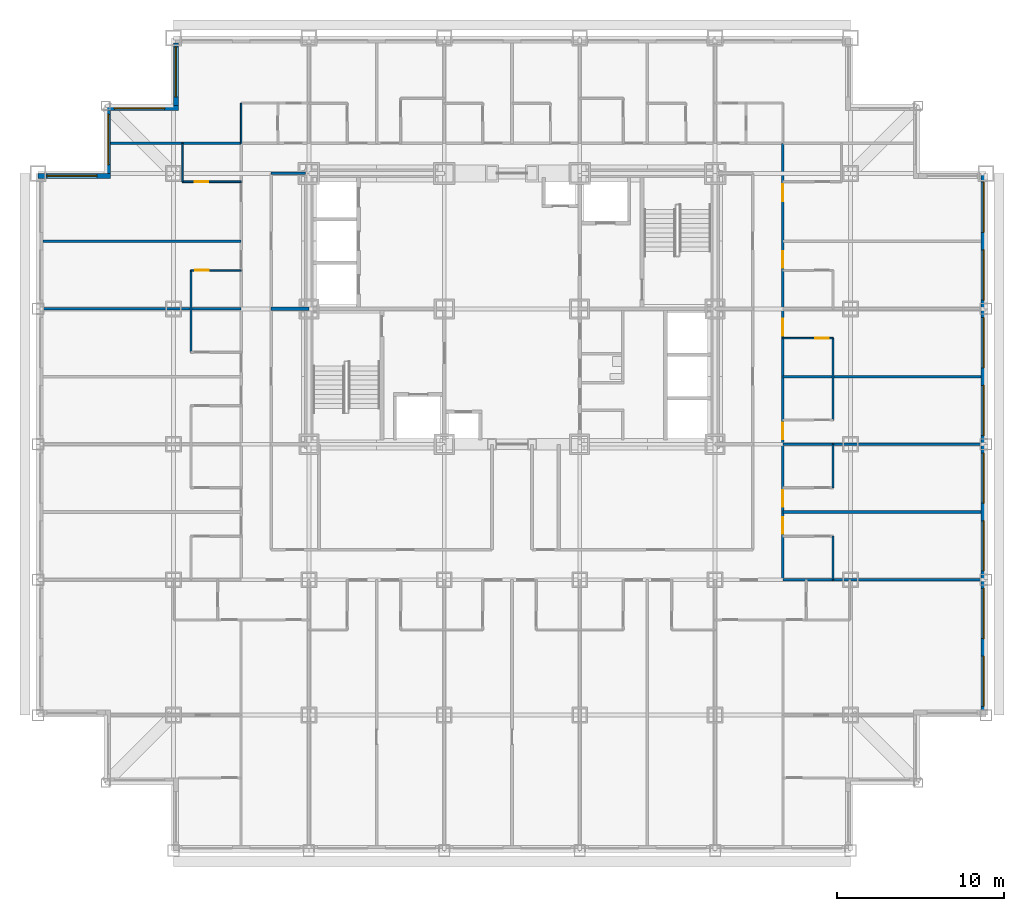
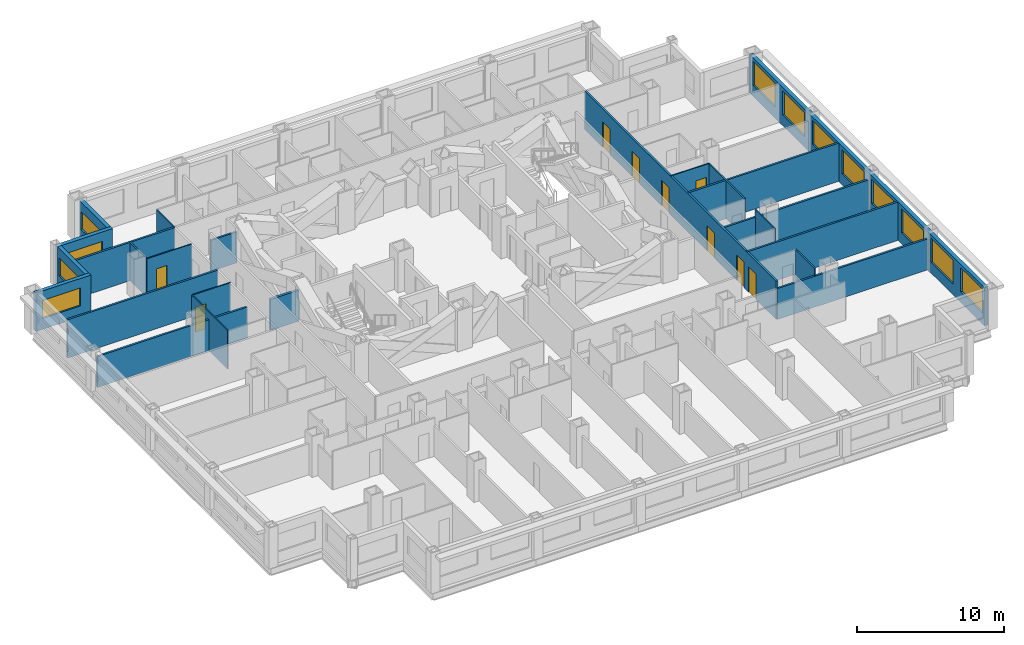
# One storey, part 7 of 12: 24 walls, 12 windows, 9 doors, 21 openings.
"""IFC4 building model written with IfcOpenShell, lengths in metres."""

from ifc_helpers import new_model, si_unit, direction, frame, frame_2d, origin, place, context, subcontext, project, spatial, rectangle, extrude, material, layer, layer_set, type_object, element, fill, save


model = new_model("IFC4")

# Units and contexts
model_context = context("Model", 3, precision=1e-05, world=origin(), true_north=direction((0.0, 1.0)))
body_context = subcontext(model_context, "Body", "Model", "MODEL_VIEW")
ifc_project = project(units=[si_unit("LENGTHUNIT", "METRE"), si_unit("AREAUNIT", "SQUARE_METRE"), si_unit("VOLUMEUNIT", "CUBIC_METRE"), si_unit("PLANEANGLEUNIT", "RADIAN"), si_unit("MASSUNIT", "GRAM", prefix="KILO")], contexts=[model_context])

# Site, building, storey
site_placement = place(None, origin())
site = spatial("IfcSite", under=ifc_project, at=site_placement, CompositionType="ELEMENT")
building_placement = place(site_placement, origin())
building = spatial("IfcBuilding", under=site, at=building_placement, Name="Kopane Lantern Tower", CompositionType="ELEMENT")
storey_placement = place(building_placement, frame((0.0, 0.0, 39.800048828125)))
storey = spatial("IfcBuildingStorey", under=building, at=storey_placement, Name="L08", CompositionType="ELEMENT", Elevation=39.800048828125)

# Wall
ifc_material_1 = material(Name="Moisture-resistant board on steel studs", Category="steel")
ifc_layer_1 = layer(ifc_material_1, 0.10009765625)
ifc_layer_set_1 = layer_set([ifc_layer_1], Name="BATHROOM WALL 100")
wall_type_1 = type_object("IfcWallType", Name="BATHROOM WALL 100", PredefinedType="PARTITIONING", material=ifc_layer_set_1)
wall_1_placement = place(storey_placement, frame((9.14990234375, 29.800048828125, 0.0), z_axis=(0.0, 0.0, 1.0), x_axis=(0.0, 1.0, 0.0)))
element("IfcWall", 1, at=wall_1_placement, inside=storey, type_object=wall_type_1, Name="Bathroom Wall 100 L08", PredefinedType="PARTITIONING", context=body_context, shape_type="SweptSolid", body=[
    extrude(rectangle(XDim=4.89990234375, YDim=0.10009765625, at=frame_2d((2.449951171875, 0.0))), origin(), (0.0, 0.0, 1.0), 3.18994140625),
])

# Wall, opening, door
wall_2_placement = place(storey_placement, frame((12.14990234375, 34.699951171875, 0.0), z_axis=(0.0, 0.0, 1.0), x_axis=(-1.0, 0.0, 0.0)))
wall_2 = element("IfcWall", 2, at=wall_2_placement, inside=storey, type_object=wall_type_1, Name="Bathroom Wall 100 L08", PredefinedType="PARTITIONING", context=body_context, shape_type="SweptSolid", body=[
    extrude(rectangle(XDim=3.0, YDim=0.10009765625, at=frame_2d((1.5, 0.0))), origin(), (0.0, 0.0, 1.0), 3.18994140625),
])
opening_1_placement = place(wall_2_placement, frame((1.949951171875, 0.0, 0.0)))
opening_1 = element("IfcOpeningElement", 3, at=opening_1_placement, cuts=wall_2, Name="Opening L08-043", PredefinedType="OPENING", context=body_context, shape_type="SweptSolid", body=[
    extrude(rectangle(XDim=0.800048828125, YDim=2.10009765625, at=frame_2d((0.39990234375, 1.050048828125))), frame((0.0, 0.06005859375, 0.0), z_axis=(0.0, -1.0, 0.0), x_axis=(1.0, 0.0, 0.0)), (0.0, 0.0, 1.0), 0.1201171875),
])
ifc_material_2 = material(Name="Timber door set", Category="wood")
door_type_1 = type_object("IfcDoorType", Name="DOOR D2 800x2100", OperationType="SINGLE_SWING_LEFT", PredefinedType="DOOR", material=ifc_material_2)
door_1_placement = place(opening_1_placement, origin())
door_1 = element("IfcDoor", 4, at=door_1_placement, inside=storey, type_object=door_type_1, Name="Door L08-043", OperationType="SINGLE_SWING_RIGHT", OverallHeight=2.10009765625, OverallWidth=0.800048828125, PredefinedType="DOOR", context=body_context, shape_type="SweptSolid", body=[
    extrude(rectangle(XDim=0.800048828125, YDim=2.10009765625, at=frame_2d((0.39990234375, 1.050048828125))), frame((0.0, 0.02490234375, 0.0), z_axis=(0.0, -1.0, 0.0), x_axis=(1.0, 0.0, 0.0)), (0.0, 0.0, 1.0), 0.050048828125),
])
fill(opening_1, door_1)

# Wall
wall_3_placement = place(storey_placement, frame((8.635009765625, 40.0, 0.0), z_axis=(0.0, 0.0, 1.0), x_axis=(0.0, 1.0, 0.0)))
element("IfcWall", 5, at=wall_3_placement, inside=storey, type_object=wall_type_1, Name="Bathroom Wall 100 L08", PredefinedType="PARTITIONING", context=body_context, shape_type="SweptSolid", body=[
    extrude(rectangle(XDim=2.300048828125, YDim=0.10009765625, at=frame_2d((1.14990234375, 0.0))), origin(), (0.0, 0.0, 1.0), 3.18994140625),
])

# Wall, opening, door
wall_4_placement = place(storey_placement, frame((12.14990234375, 40.0, 0.0), z_axis=(0.0, 0.0, 1.0), x_axis=(-1.0, 0.0, 0.0)))
wall_4 = element("IfcWall", 6, at=wall_4_placement, inside=storey, type_object=wall_type_1, Name="Bathroom Wall 100 L08", PredefinedType="PARTITIONING", context=body_context, shape_type="SweptSolid", body=[
    extrude(rectangle(XDim=3.514892578125, YDim=0.10009765625, at=frame_2d((1.75732421875, 0.0))), origin(), (0.0, 0.0, 1.0), 3.18994140625),
])
opening_2_placement = place(wall_4_placement, frame((1.965087890625, 0.0, 0.0)))
opening_2 = element("IfcOpeningElement", 7, at=opening_2_placement, cuts=wall_4, Name="Opening L08-045", PredefinedType="OPENING", context=body_context, shape_type="SweptSolid", body=[
    extrude(rectangle(XDim=0.800048828125, YDim=2.10009765625, at=frame_2d((0.39990234375, 1.050048828125))), frame((0.0, 0.06005859375, 0.0), z_axis=(0.0, -1.0, 0.0), x_axis=(1.0, 0.0, 0.0)), (0.0, 0.0, 1.0), 0.1201171875),
])
door_2_placement = place(opening_2_placement, origin())
door_2 = element("IfcDoor", 8, at=door_2_placement, inside=storey, type_object=door_type_1, Name="Door L08-045", OperationType="SINGLE_SWING_LEFT", OverallHeight=2.10009765625, OverallWidth=0.800048828125, PredefinedType="DOOR", context=body_context, shape_type="SweptSolid", body=[
    extrude(rectangle(XDim=0.800048828125, YDim=2.10009765625, at=frame_2d((0.39990234375, 1.050048828125))), frame((0.0, 0.02490234375, 0.0), z_axis=(0.0, -1.0, 0.0), x_axis=(1.0, 0.0, 0.0)), (0.0, 0.0, 1.0), 0.050048828125),
])
fill(opening_2, door_2)

# Walls
for number, where, z_axis, x_axis, name in (
    (9, (47.550048828125, 16.199951171875, 0.0), (0.0, 0.0, 1.0), (0.0, 1.0, 0.0), "Bathroom Wall 100 L08"),
    (10, (47.550048828125, 21.699951171875, 0.0), (0.0, 0.0, 1.0), (0.0, 1.0, 0.0), "Bathroom Wall 100 L08"),
):
    element("IfcWall", number, at=place(storey_placement, frame(where, z_axis=z_axis, x_axis=x_axis)), inside=storey, type_object=wall_type_1, Name=name, PredefinedType="PARTITIONING", context=body_context, shape_type="SweptSolid", body=[
        extrude(rectangle(XDim=2.60009765625, YDim=0.10009765625, at=frame_2d((1.300048828125, 0.0))), origin(), (0.0, 0.0, 1.0), 3.18994140625),
    ])
wall_5_placement = place(storey_placement, frame((47.550048828125, 25.75, 0.0), z_axis=(0.0, 0.0, 1.0), x_axis=(0.0, 1.0, 0.0)))
element("IfcWall", 11, at=wall_5_placement, inside=storey, type_object=wall_type_1, Name="Bathroom Wall 100 L08", PredefinedType="PARTITIONING", context=body_context, shape_type="SweptSolid", body=[
    extrude(rectangle(XDim=4.89990234375, YDim=0.10009765625, at=frame_2d((2.449951171875, 0.0))), origin(), (0.0, 0.0, 1.0), 3.18994140625),
])

# Wall, opening, door
wall_6_placement = place(storey_placement, frame((44.550048828125, 30.64990234375, 0.0), z_axis=(0.0, 0.0, 1.0), x_axis=(1.0, 0.0, 0.0)))
wall_6 = element("IfcWall", 12, at=wall_6_placement, inside=storey, type_object=wall_type_1, Name="Bathroom Wall 100 L08", PredefinedType="PARTITIONING", context=body_context, shape_type="SweptSolid", body=[
    extrude(rectangle(XDim=3.0, YDim=0.10009765625, at=frame_2d((1.5, 0.0))), origin(), (0.0, 0.0, 1.0), 3.18994140625),
])
opening_3_placement = place(wall_6_placement, frame((1.949951171875, 0.0, 0.0)))
opening_3 = element("IfcOpeningElement", 13, at=opening_3_placement, cuts=wall_6, Name="Opening L08-053", PredefinedType="OPENING", context=body_context, shape_type="SweptSolid", body=[
    extrude(rectangle(XDim=0.800048828125, YDim=2.10009765625, at=frame_2d((0.39990234375, 1.050048828125))), frame((0.0, 0.06005859375, 0.0), z_axis=(0.0, -1.0, 0.0), x_axis=(1.0, 0.0, 0.0)), (0.0, 0.0, 1.0), 0.1201171875),
])
door_3_placement = place(opening_3_placement, origin())
door_3 = element("IfcDoor", 14, at=door_3_placement, inside=storey, type_object=door_type_1, Name="Door L08-053", OperationType="SINGLE_SWING_LEFT", OverallHeight=2.10009765625, OverallWidth=0.800048828125, PredefinedType="DOOR", context=body_context, shape_type="SweptSolid", body=[
    extrude(rectangle(XDim=0.800048828125, YDim=2.10009765625, at=frame_2d((0.39990234375, 1.050048828125))), frame((0.0, 0.02490234375, 0.0), z_axis=(0.0, -1.0, 0.0), x_axis=(1.0, 0.0, 0.0)), (0.0, 0.0, 1.0), 0.050048828125),
])
fill(opening_3, door_3)

# Wall
wall_7_placement = place(storey_placement, frame((12.14990234375, 42.300048828125, 0.0), z_axis=(0.0, 0.0, 1.0), x_axis=(0.0, 1.0, 0.0)))
element("IfcWall", 15, at=wall_7_placement, inside=storey, type_object=wall_type_1, Name="Bathroom Wall 100 L08", PredefinedType="PARTITIONING", context=body_context, shape_type="SweptSolid", body=[
    extrude(rectangle(XDim=2.39990234375, YDim=0.10009765625, at=frame_2d((1.199951171875, 0.0))), origin(), (0.0, 0.0, 1.0), 3.18994140625),
])

# Wall, openings, doors
ifc_material_3 = material(Name="Gypsum board on steel studs", Category="steel")
ifc_layer_2 = layer(ifc_material_3, 0.14990234375)
ifc_layer_set_2 = layer_set([ifc_layer_2], Name="CORRIDOR WALL 150 EI 60")
wall_type_2 = type_object("IfcWallType", Name="CORRIDOR WALL 150 EI 60", PredefinedType="PARTITIONING", material=ifc_layer_set_2)
wall_8_placement = place(storey_placement, frame((44.550048828125, 16.199951171875, 0.0), z_axis=(0.0, 0.0, 1.0), x_axis=(0.0, 1.0, 0.0)))
wall_8 = element("IfcWall", 16, at=wall_8_placement, inside=storey, type_object=wall_type_2, Name="Corridor Wall 150 Ei 60 L08", PredefinedType="PARTITIONING", context=body_context, shape_type="SweptSolid", body=[
    extrude(rectangle(XDim=26.10009765625, YDim=0.14990234375, at=frame_2d((13.050048828125, 0.0))), origin(), (0.0, 0.0, 1.0), 3.18994140625),
])
opening_4_placement = place(wall_8_placement, frame((2.75, 0.0, 0.0)))
opening_4 = element("IfcOpeningElement", 17, at=opening_4_placement, cuts=wall_8, Name="Opening L08-048", PredefinedType="OPENING", context=body_context, shape_type="SweptSolid", body=[
    extrude(rectangle(XDim=1.0, YDim=2.10009765625, at=frame_2d((0.5, 1.050048828125))), frame((0.0, 0.0849609375, 0.0), z_axis=(0.0, -1.0, 0.0), x_axis=(1.0, 0.0, 0.0)), (0.0, 0.0, 1.0), 0.169921875),
])
opening_5_placement = place(wall_8_placement, frame((4.35009765625, 0.0, 0.0)))
opening_5 = element("IfcOpeningElement", 18, at=opening_5_placement, cuts=wall_8, Name="Opening L08-050", PredefinedType="OPENING", context=body_context, shape_type="SweptSolid", body=[
    extrude(rectangle(XDim=1.0, YDim=2.10009765625, at=frame_2d((0.5, 1.050048828125))), frame((0.0, 0.0849609375, 0.0), z_axis=(0.0, -1.0, 0.0), x_axis=(1.0, 0.0, 0.0)), (0.0, 0.0, 1.0), 0.169921875),
])
opening_6_placement = place(wall_8_placement, frame((8.39990234375, 0.0, 0.0)))
opening_6 = element("IfcOpeningElement", 19, at=opening_6_placement, cuts=wall_8, Name="Opening L08-052", PredefinedType="OPENING", context=body_context, shape_type="SweptSolid", body=[
    extrude(rectangle(XDim=1.0, YDim=2.10009765625, at=frame_2d((0.5, 1.050048828125))), frame((0.0, 0.0849609375, 0.0), z_axis=(0.0, -1.0, 0.0), x_axis=(1.0, 0.0, 0.0)), (0.0, 0.0, 1.0), 0.169921875),
])
opening_7_placement = place(wall_8_placement, frame((14.60009765625, 0.0, 0.0)))
opening_7 = element("IfcOpeningElement", 20, at=opening_7_placement, cuts=wall_8, Name="Opening L08-054", PredefinedType="OPENING", context=body_context, shape_type="SweptSolid", body=[
    extrude(rectangle(XDim=1.0, YDim=2.10009765625, at=frame_2d((0.5, 1.050048828125))), frame((0.0, 0.0849609375, 0.0), z_axis=(0.0, -1.0, 0.0), x_axis=(1.0, 0.0, 0.0)), (0.0, 0.0, 1.0), 0.169921875),
])
opening_8_placement = place(wall_8_placement, frame((18.64990234375, 0.0, 0.0)))
opening_8 = element("IfcOpeningElement", 21, at=opening_8_placement, cuts=wall_8, Name="Opening L08-056", PredefinedType="OPENING", context=body_context, shape_type="SweptSolid", body=[
    extrude(rectangle(XDim=1.0, YDim=2.10009765625, at=frame_2d((0.5, 1.050048828125))), frame((0.0, 0.0849609375, 0.0), z_axis=(0.0, -1.0, 0.0), x_axis=(1.0, 0.0, 0.0)), (0.0, 0.0, 1.0), 0.169921875),
])
opening_9_placement = place(wall_8_placement, frame((22.64990234375, 0.0, 0.0)))
opening_9 = element("IfcOpeningElement", 22, at=opening_9_placement, cuts=wall_8, Name="Opening L08-058", PredefinedType="OPENING", context=body_context, shape_type="SweptSolid", body=[
    extrude(rectangle(XDim=1.0, YDim=2.10009765625, at=frame_2d((0.5, 1.050048828125))), frame((0.0, 0.0849609375, 0.0), z_axis=(0.0, -1.0, 0.0), x_axis=(1.0, 0.0, 0.0)), (0.0, 0.0, 1.0), 0.169921875),
])
ifc_material_4 = material(Name="Steel door set", Category="steel")
door_type_2 = type_object("IfcDoorType", Name="DOOR D1 1000x2100 FD30S", OperationType="SINGLE_SWING_LEFT", PredefinedType="DOOR", material=ifc_material_4)
door_4_placement = place(opening_4_placement, origin())
door_4 = element("IfcDoor", 23, at=door_4_placement, inside=storey, type_object=door_type_2, Name="Door L08-048", OperationType="SINGLE_SWING_RIGHT", OverallHeight=2.10009765625, OverallWidth=1.0, PredefinedType="DOOR", context=body_context, shape_type="SweptSolid", body=[
    extrude(rectangle(XDim=1.0, YDim=2.10009765625, at=frame_2d((0.5, 1.050048828125))), frame((0.0, 0.02490234375, 0.0), z_axis=(0.0, -1.0, 0.0), x_axis=(1.0, 0.0, 0.0)), (0.0, 0.0, 1.0), 0.050048828125),
])
fill(opening_4, door_4)
door_5_placement = place(opening_5_placement, origin())
door_5 = element("IfcDoor", 24, at=door_5_placement, inside=storey, type_object=door_type_2, Name="Door L08-050", OperationType="SINGLE_SWING_LEFT", OverallHeight=2.10009765625, OverallWidth=1.0, PredefinedType="DOOR", context=body_context, shape_type="SweptSolid", body=[
    extrude(rectangle(XDim=1.0, YDim=2.10009765625, at=frame_2d((0.5, 1.050048828125))), frame((0.0, 0.02490234375, 0.0), z_axis=(0.0, -1.0, 0.0), x_axis=(1.0, 0.0, 0.0)), (0.0, 0.0, 1.0), 0.050048828125),
])
fill(opening_5, door_5)
door_6_placement = place(opening_6_placement, origin())
door_6 = element("IfcDoor", 25, at=door_6_placement, inside=storey, type_object=door_type_2, Name="Door L08-052", OperationType="SINGLE_SWING_LEFT", OverallHeight=2.10009765625, OverallWidth=1.0, PredefinedType="DOOR", context=body_context, shape_type="SweptSolid", body=[
    extrude(rectangle(XDim=1.0, YDim=2.10009765625, at=frame_2d((0.5, 1.050048828125))), frame((0.0, 0.02490234375, 0.0), z_axis=(0.0, -1.0, 0.0), x_axis=(1.0, 0.0, 0.0)), (0.0, 0.0, 1.0), 0.050048828125),
])
fill(opening_6, door_6)
door_7_placement = place(opening_7_placement, origin())
door_7 = element("IfcDoor", 26, at=door_7_placement, inside=storey, type_object=door_type_2, Name="Door L08-054", OperationType="SINGLE_SWING_RIGHT", OverallHeight=2.10009765625, OverallWidth=1.0, PredefinedType="DOOR", context=body_context, shape_type="SweptSolid", body=[
    extrude(rectangle(XDim=1.0, YDim=2.10009765625, at=frame_2d((0.5, 1.050048828125))), frame((0.0, 0.02490234375, 0.0), z_axis=(0.0, -1.0, 0.0), x_axis=(1.0, 0.0, 0.0)), (0.0, 0.0, 1.0), 0.050048828125),
])
fill(opening_7, door_7)
door_8_placement = place(opening_8_placement, origin())
door_8 = element("IfcDoor", 27, at=door_8_placement, inside=storey, type_object=door_type_2, Name="Door L08-056", OperationType="SINGLE_SWING_RIGHT", OverallHeight=2.10009765625, OverallWidth=1.0, PredefinedType="DOOR", context=body_context, shape_type="SweptSolid", body=[
    extrude(rectangle(XDim=1.0, YDim=2.10009765625, at=frame_2d((0.5, 1.050048828125))), frame((0.0, 0.02490234375, 0.0), z_axis=(0.0, -1.0, 0.0), x_axis=(1.0, 0.0, 0.0)), (0.0, 0.0, 1.0), 0.050048828125),
])
fill(opening_8, door_8)
door_9_placement = place(opening_9_placement, origin())
door_9 = element("IfcDoor", 28, at=door_9_placement, inside=storey, type_object=door_type_2, Name="Door L08-058", OperationType="SINGLE_SWING_LEFT", OverallHeight=2.10009765625, OverallWidth=1.0, PredefinedType="DOOR", context=body_context, shape_type="SweptSolid", body=[
    extrude(rectangle(XDim=1.0, YDim=2.10009765625, at=frame_2d((0.5, 1.050048828125))), frame((0.0, 0.02490234375, 0.0), z_axis=(0.0, -1.0, 0.0), x_axis=(1.0, 0.0, 0.0)), (0.0, 0.0, 1.0), 0.050048828125),
])
fill(opening_9, door_9)

# Walls
wall_9_placement = place(storey_placement, frame((16.0, 40.5, 0.0), z_axis=(0.0, 0.0, 1.0), x_axis=(-1.0, 0.0, 0.0)))
element("IfcWall", 29, at=wall_9_placement, inside=storey, type_object=wall_type_2, Name="Corridor Wall 150 Ei 60 L08", PredefinedType="PARTITIONING", context=body_context, shape_type="SweptSolid", body=[
    extrude(rectangle(XDim=2.050048828125, YDim=0.14990234375, at=frame_2d((1.02490234375, 0.0))), origin(), (0.0, 0.0, 1.0), 2.57763671875),
])
ifc_material_5 = material(Name="Gypsum board on steel studs", Category="steel")
ifc_layer_3 = layer(ifc_material_5, 0.14990234375)
ifc_layer_set_3 = layer_set([ifc_layer_3], Name="DEMISING WALL 150 EI 60")
wall_type_3 = type_object("IfcWallType", Name="DEMISING WALL 150 EI 60", PredefinedType="PARTITIONING", material=ifc_layer_set_3)
wall_10_placement = place(storey_placement, frame((12.14990234375, 32.39990234375, 0.0), z_axis=(0.0, 0.0, 1.0), x_axis=(-1.0, 0.0, 0.0)))
element("IfcWall", 30, at=wall_10_placement, inside=storey, type_object=wall_type_3, Name="Demising Wall 150 Ei 60 L08", PredefinedType="PARTITIONING", context=body_context, shape_type="SweptSolid", body=[
    extrude(rectangle(XDim=11.849853515625, YDim=0.14990234375, at=frame_2d((5.9248046875, 0.0))), origin(), (0.0, 0.0, 1.0), 2.57763671875),
])
for number, where, z_axis, x_axis, name in (
    (31, (12.14990234375, 36.449951171875, 0.0), (0.0, 0.0, 1.0), (-1.0, 0.0, 0.0), "Demising Wall 150 Ei 60 L08"),
    (32, (44.550048828125, 20.25, 0.0), (0.0, 0.0, 1.0), (1.0, 0.0, 0.0), "Demising Wall 150 Ei 60 L08"),
):
    element("IfcWall", number, at=place(storey_placement, frame(where, z_axis=z_axis, x_axis=x_axis)), inside=storey, type_object=wall_type_3, Name=name, PredefinedType="PARTITIONING", context=body_context, shape_type="SweptSolid", body=[
        extrude(rectangle(XDim=11.849853515625, YDim=0.14990234375, at=frame_2d((5.9248046875, 0.0))), origin(), (0.0, 0.0, 1.0), 3.18994140625),
    ])
wall_11_placement = place(storey_placement, frame((44.550048828125, 24.300048828125, 0.0), z_axis=(0.0, 0.0, 1.0), x_axis=(1.0, 0.0, 0.0)))
element("IfcWall", 33, at=wall_11_placement, inside=storey, type_object=wall_type_3, Name="Demising Wall 150 Ei 60 L08", PredefinedType="PARTITIONING", context=body_context, shape_type="SweptSolid", body=[
    extrude(rectangle(XDim=11.849853515625, YDim=0.14990234375, at=frame_2d((5.9248046875, 0.0))), origin(), (0.0, 0.0, 1.0), 2.57763671875),
])
wall_12_placement = place(storey_placement, frame((44.550048828125, 28.35009765625, 0.0), z_axis=(0.0, 0.0, 1.0), x_axis=(1.0, 0.0, 0.0)))
element("IfcWall", 34, at=wall_12_placement, inside=storey, type_object=wall_type_3, Name="Demising Wall 150 Ei 60 L08", PredefinedType="PARTITIONING", context=body_context, shape_type="SweptSolid", body=[
    extrude(rectangle(XDim=11.849853515625, YDim=0.14990234375, at=frame_2d((5.9248046875, 0.0))), origin(), (0.0, 0.0, 1.0), 3.18994140625),
])
wall_13_placement = place(storey_placement, frame((44.550048828125, 16.199951171875, 0.0), z_axis=(0.0, 0.0, 1.0), x_axis=(1.0, 0.0, 0.0)))
element("IfcWall", 35, at=wall_13_placement, inside=storey, type_object=wall_type_3, Name="Demising Wall 150 Ei 60 L08", PredefinedType="PARTITIONING", context=body_context, shape_type="SweptSolid", body=[
    extrude(rectangle(XDim=11.849853515625, YDim=0.14990234375, at=frame_2d((5.9248046875, 0.0))), origin(), (0.0, 0.0, 1.0), 2.57763671875),
])
wall_14_placement = place(storey_placement, frame((4.35009765625, 42.300048828125, 0.0), z_axis=(0.0, 0.0, 1.0), x_axis=(1.0, 0.0, 0.0)))
element("IfcWall", 36, at=wall_14_placement, inside=storey, type_object=wall_type_3, Name="Demising Wall 150 Ei 60 L08", PredefinedType="PARTITIONING", context=body_context, shape_type="SweptSolid", body=[
    extrude(rectangle(XDim=7.7998046875, YDim=0.14990234375, at=frame_2d((3.89990234375, 0.0))), origin(), (0.0, 0.0, 1.0), 3.18994140625),
])

# Wall, openings, windows
ifc_material_6 = material(Name="Terracotta rainscreen on light steel framing", Category="masonry")
ifc_layer_4 = layer(ifc_material_6, 0.300048828125)
ifc_layer_set_4 = layer_set([ifc_layer_4], Name="EXTERNAL WALL EW1 300 TERRACOTTA")
wall_type_4 = type_object("IfcWallType", Name="EXTERNAL WALL EW1 300 TERRACOTTA", PredefinedType="SOLIDWALL", material=ifc_layer_set_4)
wall_15_placement = place(storey_placement, frame((56.550048828125, 8.39990234375, 0.0), z_axis=(0.0, 0.0, 1.0), x_axis=(0.0, 1.0, 0.0)))
wall_15 = element("IfcWall", 37, at=wall_15_placement, inside=storey, type_object=wall_type_4, Name="External wall E L08", PredefinedType="SOLIDWALL", context=body_context, shape_type="SweptSolid", body=[
    extrude(rectangle(XDim=32.10009765625, YDim=0.300048828125, at=frame_2d((16.050048828125, 0.0))), origin(), (0.0, 0.0, 1.0), 3.18994140625),
])
opening_10_placement = place(wall_15_placement, frame((0.22509765625, 0.0, 0.89990234375)))
opening_10 = element("IfcOpeningElement", 38, at=opening_10_placement, cuts=wall_15, Name="Opening WR300200", PredefinedType="OPENING", context=body_context, shape_type="SweptSolid", body=[
    extrude(rectangle(XDim=3.0, YDim=2.0, at=frame_2d((1.5, 1.0))), frame((0.0, 0.159912109375, 0.0), z_axis=(0.0, -1.0, 0.0), x_axis=(1.0, 0.0, 0.0)), (0.0, 0.0, 1.0), 0.320068359375),
])
opening_11_placement = place(wall_15_placement, frame((4.27490234375, 0.0, 0.89990234375)))
opening_11 = element("IfcOpeningElement", 39, at=opening_11_placement, cuts=wall_15, Name="Opening WR300200", PredefinedType="OPENING", context=body_context, shape_type="SweptSolid", body=[
    extrude(rectangle(XDim=3.0, YDim=2.0, at=frame_2d((1.5, 1.0))), frame((0.0, 0.159912109375, 0.0), z_axis=(0.0, -1.0, 0.0), x_axis=(1.0, 0.0, 0.0)), (0.0, 0.0, 1.0), 0.320068359375),
])
opening_12_placement = place(wall_15_placement, frame((8.324951171875, 0.0, 0.89990234375)))
opening_12 = element("IfcOpeningElement", 40, at=opening_12_placement, cuts=wall_15, Name="Opening WR300200", PredefinedType="OPENING", context=body_context, shape_type="SweptSolid", body=[
    extrude(rectangle(XDim=3.0, YDim=2.0, at=frame_2d((1.5, 1.0))), frame((0.0, 0.159912109375, 0.0), z_axis=(0.0, -1.0, 0.0), x_axis=(1.0, 0.0, 0.0)), (0.0, 0.0, 1.0), 0.320068359375),
])
opening_13_placement = place(wall_15_placement, frame((12.375, 0.0, 0.89990234375)))
opening_13 = element("IfcOpeningElement", 41, at=opening_13_placement, cuts=wall_15, Name="Opening WR300200", PredefinedType="OPENING", context=body_context, shape_type="SweptSolid", body=[
    extrude(rectangle(XDim=3.0, YDim=2.0, at=frame_2d((1.5, 1.0))), frame((0.0, 0.159912109375, 0.0), z_axis=(0.0, -1.0, 0.0), x_axis=(1.0, 0.0, 0.0)), (0.0, 0.0, 1.0), 0.320068359375),
])
opening_14_placement = place(wall_15_placement, frame((16.425048828125, 0.0, 0.89990234375)))
opening_14 = element("IfcOpeningElement", 42, at=opening_14_placement, cuts=wall_15, Name="Opening WR300200", PredefinedType="OPENING", context=body_context, shape_type="SweptSolid", body=[
    extrude(rectangle(XDim=3.0, YDim=2.0, at=frame_2d((1.5, 1.0))), frame((0.0, 0.159912109375, 0.0), z_axis=(0.0, -1.0, 0.0), x_axis=(1.0, 0.0, 0.0)), (0.0, 0.0, 1.0), 0.320068359375),
])
opening_15_placement = place(wall_15_placement, frame((20.47509765625, 0.0, 0.89990234375)))
opening_15 = element("IfcOpeningElement", 43, at=opening_15_placement, cuts=wall_15, Name="Opening WR300200", PredefinedType="OPENING", context=body_context, shape_type="SweptSolid", body=[
    extrude(rectangle(XDim=3.0, YDim=2.0, at=frame_2d((1.5, 1.0))), frame((0.0, 0.159912109375, 0.0), z_axis=(0.0, -1.0, 0.0), x_axis=(1.0, 0.0, 0.0)), (0.0, 0.0, 1.0), 0.320068359375),
])
opening_16_placement = place(wall_15_placement, frame((24.52490234375, 0.0, 0.89990234375)))
opening_16 = element("IfcOpeningElement", 44, at=opening_16_placement, cuts=wall_15, Name="Opening WR300200", PredefinedType="OPENING", context=body_context, shape_type="SweptSolid", body=[
    extrude(rectangle(XDim=3.0, YDim=2.0, at=frame_2d((1.5, 1.0))), frame((0.0, 0.159912109375, 0.0), z_axis=(0.0, -1.0, 0.0), x_axis=(1.0, 0.0, 0.0)), (0.0, 0.0, 1.0), 0.320068359375),
])
opening_17_placement = place(wall_15_placement, frame((28.574951171875, 0.0, 0.89990234375)))
opening_17 = element("IfcOpeningElement", 45, at=opening_17_placement, cuts=wall_15, Name="Opening WR300200", PredefinedType="OPENING", context=body_context, shape_type="SweptSolid", body=[
    extrude(rectangle(XDim=3.0, YDim=2.0, at=frame_2d((1.5, 1.0))), frame((0.0, 0.159912109375, 0.0), z_axis=(0.0, -1.0, 0.0), x_axis=(1.0, 0.0, 0.0)), (0.0, 0.0, 1.0), 0.320068359375),
])
ifc_material_7 = material(Name="Aluminium and clear glass", Category="aluminium")
window_type_1 = type_object("IfcWindowType", Name="RIBBON WINDOW WR300200 3000x2000", PartitioningType="SINGLE_PANEL", PredefinedType="WINDOW", material=ifc_material_7)
window_1_placement = place(opening_10_placement, origin())
window_1 = element("IfcWindow", 46, at=window_1_placement, inside=storey, type_object=window_type_1, Name="Window E L08", OverallHeight=2.0, OverallWidth=3.0, PartitioningType="SINGLE_PANEL", PredefinedType="WINDOW", context=body_context, shape_type="SweptSolid", body=[
    extrude(rectangle(XDim=3.0, YDim=2.0, at=frame_2d((1.5, 1.0))), frame((0.0, 0.030029296875, 0.0), z_axis=(0.0, -1.0, 0.0), x_axis=(1.0, 0.0, 0.0)), (0.0, 0.0, 1.0), 0.06005859375),
])
fill(opening_10, window_1)
window_2_placement = place(opening_11_placement, origin())
window_2 = element("IfcWindow", 47, at=window_2_placement, inside=storey, type_object=window_type_1, Name="Window E L08", OverallHeight=2.0, OverallWidth=3.0, PartitioningType="SINGLE_PANEL", PredefinedType="WINDOW", context=body_context, shape_type="SweptSolid", body=[
    extrude(rectangle(XDim=3.0, YDim=2.0, at=frame_2d((1.5, 1.0))), frame((0.0, 0.030029296875, 0.0), z_axis=(0.0, -1.0, 0.0), x_axis=(1.0, 0.0, 0.0)), (0.0, 0.0, 1.0), 0.06005859375),
])
fill(opening_11, window_2)
window_3_placement = place(opening_12_placement, origin())
window_3 = element("IfcWindow", 48, at=window_3_placement, inside=storey, type_object=window_type_1, Name="Window E L08", OverallHeight=2.0, OverallWidth=3.0, PartitioningType="SINGLE_PANEL", PredefinedType="WINDOW", context=body_context, shape_type="SweptSolid", body=[
    extrude(rectangle(XDim=3.0, YDim=2.0, at=frame_2d((1.5, 1.0))), frame((0.0, 0.030029296875, 0.0), z_axis=(0.0, -1.0, 0.0), x_axis=(1.0, 0.0, 0.0)), (0.0, 0.0, 1.0), 0.06005859375),
])
fill(opening_12, window_3)
window_4_placement = place(opening_13_placement, origin())
window_4 = element("IfcWindow", 49, at=window_4_placement, inside=storey, type_object=window_type_1, Name="Window E L08", OverallHeight=2.0, OverallWidth=3.0, PartitioningType="SINGLE_PANEL", PredefinedType="WINDOW", context=body_context, shape_type="SweptSolid", body=[
    extrude(rectangle(XDim=3.0, YDim=2.0, at=frame_2d((1.5, 1.0))), frame((0.0, 0.030029296875, 0.0), z_axis=(0.0, -1.0, 0.0), x_axis=(1.0, 0.0, 0.0)), (0.0, 0.0, 1.0), 0.06005859375),
])
fill(opening_13, window_4)
window_5_placement = place(opening_14_placement, origin())
window_5 = element("IfcWindow", 50, at=window_5_placement, inside=storey, type_object=window_type_1, Name="Window E L08", OverallHeight=2.0, OverallWidth=3.0, PartitioningType="SINGLE_PANEL", PredefinedType="WINDOW", context=body_context, shape_type="SweptSolid", body=[
    extrude(rectangle(XDim=3.0, YDim=2.0, at=frame_2d((1.5, 1.0))), frame((0.0, 0.030029296875, 0.0), z_axis=(0.0, -1.0, 0.0), x_axis=(1.0, 0.0, 0.0)), (0.0, 0.0, 1.0), 0.06005859375),
])
fill(opening_14, window_5)
window_6_placement = place(opening_15_placement, origin())
window_6 = element("IfcWindow", 51, at=window_6_placement, inside=storey, type_object=window_type_1, Name="Window E L08", OverallHeight=2.0, OverallWidth=3.0, PartitioningType="SINGLE_PANEL", PredefinedType="WINDOW", context=body_context, shape_type="SweptSolid", body=[
    extrude(rectangle(XDim=3.0, YDim=2.0, at=frame_2d((1.5, 1.0))), frame((0.0, 0.030029296875, 0.0), z_axis=(0.0, -1.0, 0.0), x_axis=(1.0, 0.0, 0.0)), (0.0, 0.0, 1.0), 0.06005859375),
])
fill(opening_15, window_6)
window_7_placement = place(opening_16_placement, origin())
window_7 = element("IfcWindow", 52, at=window_7_placement, inside=storey, type_object=window_type_1, Name="Window E L08", OverallHeight=2.0, OverallWidth=3.0, PartitioningType="SINGLE_PANEL", PredefinedType="WINDOW", context=body_context, shape_type="SweptSolid", body=[
    extrude(rectangle(XDim=3.0, YDim=2.0, at=frame_2d((1.5, 1.0))), frame((0.0, 0.030029296875, 0.0), z_axis=(0.0, -1.0, 0.0), x_axis=(1.0, 0.0, 0.0)), (0.0, 0.0, 1.0), 0.06005859375),
])
fill(opening_16, window_7)
window_8_placement = place(opening_17_placement, origin())
window_8 = element("IfcWindow", 53, at=window_8_placement, inside=storey, type_object=window_type_1, Name="Window E L08", OverallHeight=2.0, OverallWidth=3.0, PartitioningType="SINGLE_PANEL", PredefinedType="WINDOW", context=body_context, shape_type="SweptSolid", body=[
    extrude(rectangle(XDim=3.0, YDim=2.0, at=frame_2d((1.5, 1.0))), frame((0.0, 0.030029296875, 0.0), z_axis=(0.0, -1.0, 0.0), x_axis=(1.0, 0.0, 0.0)), (0.0, 0.0, 1.0), 0.06005859375),
])
fill(opening_17, window_8)

# Wall, opening, window
wall_16_placement = place(storey_placement, frame((8.25, 48.300048828125, 0.0), z_axis=(0.0, 0.0, 1.0), x_axis=(0.0, -1.0, 0.0)))
wall_16 = element("IfcWall", 54, at=wall_16_placement, inside=storey, type_object=wall_type_4, Name="External wall W L08", PredefinedType="SOLIDWALL", context=body_context, shape_type="SweptSolid", body=[
    extrude(rectangle(XDim=3.75, YDim=0.300048828125, at=frame_2d((1.875, 0.0))), origin(), (0.0, 0.0, 1.0), 3.18994140625),
])
opening_18_placement = place(wall_16_placement, frame((0.22509765625, 0.0, 0.89990234375)))
opening_18 = element("IfcOpeningElement", 55, at=opening_18_placement, cuts=wall_16, Name="Opening WR300150", PredefinedType="OPENING", context=body_context, shape_type="SweptSolid", body=[
    extrude(rectangle(XDim=3.0, YDim=1.5, at=frame_2d((1.5, 0.75))), frame((0.0, 0.159912109375, 0.0), z_axis=(0.0, -1.0, 0.0), x_axis=(1.0, 0.0, 0.0)), (0.0, 0.0, 1.0), 0.320068359375),
])
ifc_material_8 = material(Name="Aluminium and clear glass", Category="aluminium")
window_type_2 = type_object("IfcWindowType", Name="RIBBON WINDOW WR300150 3000x1500", PartitioningType="SINGLE_PANEL", PredefinedType="WINDOW", material=ifc_material_8)
window_9_placement = place(opening_18_placement, origin())
window_9 = element("IfcWindow", 56, at=window_9_placement, inside=storey, type_object=window_type_2, Name="Window W L08", OverallHeight=1.5, OverallWidth=3.0, PartitioningType="SINGLE_PANEL", PredefinedType="WINDOW", context=body_context, shape_type="SweptSolid", body=[
    extrude(rectangle(XDim=3.0, YDim=1.5, at=frame_2d((1.5, 0.75))), frame((0.0, 0.030029296875, 0.0), z_axis=(0.0, -1.0, 0.0), x_axis=(1.0, 0.0, 0.0)), (0.0, 0.0, 1.0), 0.06005859375),
])
fill(opening_18, window_9)

wall_17_placement = place(storey_placement, frame((8.39990234375, 44.39990234375, 0.0), z_axis=(0.0, 0.0, 1.0), x_axis=(-1.0, 0.0, 0.0)))
wall_17 = element("IfcWall", 57, at=wall_17_placement, inside=storey, type_object=wall_type_4, Name="External wall N L08", PredefinedType="SOLIDWALL", context=body_context, shape_type="SweptSolid", body=[
    extrude(rectangle(XDim=4.349853515625, YDim=0.300048828125, at=frame_2d((2.1748046875, 0.0))), origin(), (0.0, 0.0, 1.0), 3.18994140625),
])
opening_19_placement = place(wall_17_placement, frame((0.824951171875, 0.0, 0.89990234375)))
opening_19 = element("IfcOpeningElement", 58, at=opening_19_placement, cuts=wall_17, Name="Opening WR300150", PredefinedType="OPENING", context=body_context, shape_type="SweptSolid", body=[
    extrude(rectangle(XDim=3.0, YDim=1.5, at=frame_2d((1.5, 0.75))), frame((0.0, 0.159912109375, 0.0), z_axis=(0.0, -1.0, 0.0), x_axis=(1.0, 0.0, 0.0)), (0.0, 0.0, 1.0), 0.320068359375),
])
window_10_placement = place(opening_19_placement, origin())
window_10 = element("IfcWindow", 59, at=window_10_placement, inside=storey, type_object=window_type_2, Name="Window N L08", OverallHeight=1.5, OverallWidth=3.0, PartitioningType="SINGLE_PANEL", PredefinedType="WINDOW", context=body_context, shape_type="SweptSolid", body=[
    extrude(rectangle(XDim=3.0, YDim=1.5, at=frame_2d((1.5, 0.75))), frame((0.0, 0.030029296875, 0.0), z_axis=(0.0, -1.0, 0.0), x_axis=(1.0, 0.0, 0.0)), (0.0, 0.0, 1.0), 0.06005859375),
])
fill(opening_19, window_10)

wall_18_placement = place(storey_placement, frame((4.199951171875, 44.25, 0.0), z_axis=(0.0, 0.0, 1.0), x_axis=(0.0, -1.0, 0.0)))
wall_18 = element("IfcWall", 60, at=wall_18_placement, inside=storey, type_object=wall_type_4, Name="External wall W L08", PredefinedType="SOLIDWALL", context=body_context, shape_type="SweptSolid", body=[
    extrude(rectangle(XDim=3.75, YDim=0.300048828125, at=frame_2d((1.875, 0.0))), origin(), (0.0, 0.0, 1.0), 3.18994140625),
])
opening_20_placement = place(wall_18_placement, frame((0.22509765625, 0.0, 0.89990234375)))
opening_20 = element("IfcOpeningElement", 61, at=opening_20_placement, cuts=wall_18, Name="Opening WR300150", PredefinedType="OPENING", context=body_context, shape_type="SweptSolid", body=[
    extrude(rectangle(XDim=3.0, YDim=1.5, at=frame_2d((1.5, 0.75))), frame((0.0, 0.159912109375, 0.0), z_axis=(0.0, -1.0, 0.0), x_axis=(1.0, 0.0, 0.0)), (0.0, 0.0, 1.0), 0.320068359375),
])
window_11_placement = place(opening_20_placement, origin())
window_11 = element("IfcWindow", 62, at=window_11_placement, inside=storey, type_object=window_type_2, Name="Window W L08", OverallHeight=1.5, OverallWidth=3.0, PartitioningType="SINGLE_PANEL", PredefinedType="WINDOW", context=body_context, shape_type="SweptSolid", body=[
    extrude(rectangle(XDim=3.0, YDim=1.5, at=frame_2d((1.5, 0.75))), frame((0.0, 0.030029296875, 0.0), z_axis=(0.0, -1.0, 0.0), x_axis=(1.0, 0.0, 0.0)), (0.0, 0.0, 1.0), 0.06005859375),
])
fill(opening_20, window_11)

wall_19_placement = place(storey_placement, frame((4.35009765625, 40.35009765625, 0.0), z_axis=(0.0, 0.0, 1.0), x_axis=(-1.0, 0.0, 0.0)))
wall_19 = element("IfcWall", 63, at=wall_19_placement, inside=storey, type_object=wall_type_4, Name="External wall N L08", PredefinedType="SOLIDWALL", context=body_context, shape_type="SweptSolid", body=[
    extrude(rectangle(XDim=4.35009765625, YDim=0.300048828125, at=frame_2d((2.175048828125, 0.0))), origin(), (0.0, 0.0, 1.0), 3.18994140625),
])
opening_21_placement = place(wall_19_placement, frame((0.824951171875, 0.0, 0.89990234375)))
opening_21 = element("IfcOpeningElement", 64, at=opening_21_placement, cuts=wall_19, Name="Opening WR300150", PredefinedType="OPENING", context=body_context, shape_type="SweptSolid", body=[
    extrude(rectangle(XDim=3.0, YDim=1.5, at=frame_2d((1.5, 0.75))), frame((0.0, 0.159912109375, 0.0), z_axis=(0.0, -1.0, 0.0), x_axis=(1.0, 0.0, 0.0)), (0.0, 0.0, 1.0), 0.320068359375),
])
window_12_placement = place(opening_21_placement, origin())
window_12 = element("IfcWindow", 65, at=window_12_placement, inside=storey, type_object=window_type_2, Name="Window N L08", OverallHeight=1.5, OverallWidth=3.0, PartitioningType="SINGLE_PANEL", PredefinedType="WINDOW", context=body_context, shape_type="SweptSolid", body=[
    extrude(rectangle(XDim=3.0, YDim=1.5, at=frame_2d((1.5, 0.75))), frame((0.0, 0.030029296875, 0.0), z_axis=(0.0, -1.0, 0.0), x_axis=(1.0, 0.0, 0.0)), (0.0, 0.0, 1.0), 0.06005859375),
])
fill(opening_21, window_12)

# Wall
ifc_material_9 = material(Name="Concrete masonry", Category="masonry")
ifc_layer_5 = layer(ifc_material_9, 0.199951171875)
ifc_layer_set_5 = layer_set([ifc_layer_5], Name="PLANT ROOM WALL 200 EI 120")
wall_type_5 = type_object("IfcWallType", Name="PLANT ROOM WALL 200 EI 120", PredefinedType="SOLIDWALL", material=ifc_layer_set_5)
wall_20_placement = place(storey_placement, frame((13.949951171875, 32.39990234375, 0.0), z_axis=(0.0, 0.0, 1.0), x_axis=(1.0, 0.0, 0.0)))
element("IfcWall", 66, at=wall_20_placement, inside=storey, type_object=wall_type_5, Name="Plant Room Wall 200 Ei 120 L08", PredefinedType="SOLIDWALL", context=body_context, shape_type="SweptSolid", body=[
    extrude(rectangle(XDim=2.25, YDim=0.199951171875, at=frame_2d((1.125, 0.0))), origin(), (0.0, 0.0, 1.0), 2.57763671875),
])

save(model, "model.ifc")
